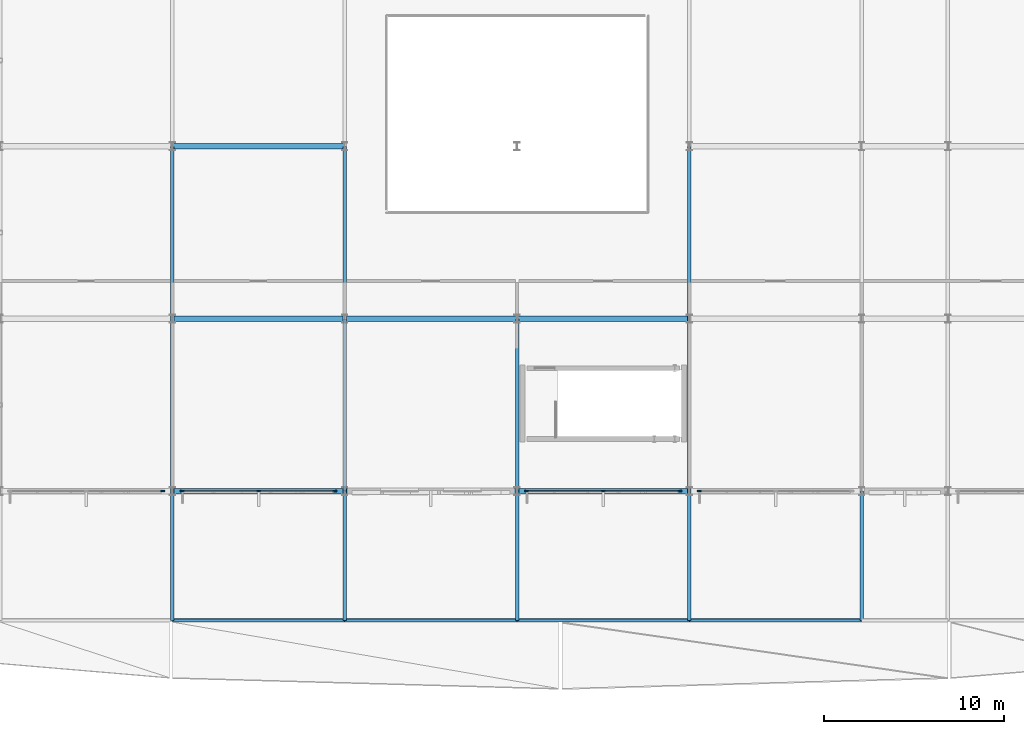
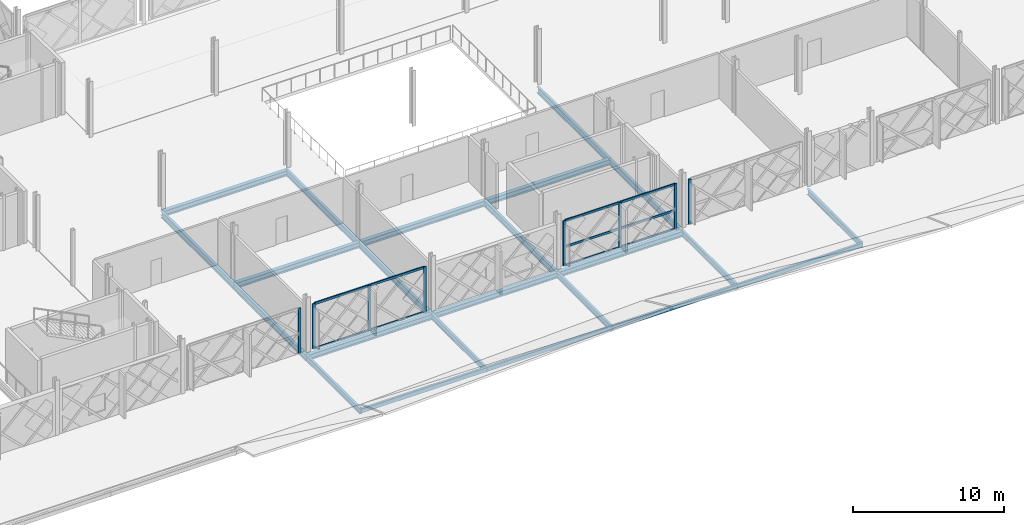
# One storey, part 38 of 101: 23 beams, 18 members, 4 elements without a shape of their own.
"""IFC4 building model written with IfcOpenShell, lengths in metres."""

from ifc_helpers import new_model, si_unit, direction, frame, origin, origin_2d, place, context, subcontext, project, spatial, rectangle, hollow_rectangle, i_section, extrude, material, layer, layer_set, material_profile, profile_set, type_object, element, aggregate, save


model = new_model("IFC4")

# Units and contexts
model_context = context("Model", 3, precision=1e-05, world=origin(), true_north=direction((0.0, 1.0)))
body_context = subcontext(model_context, "Body", "Model", "MODEL_VIEW")
ifc_project = project(units=[si_unit("LENGTHUNIT", "METRE"), si_unit("AREAUNIT", "SQUARE_METRE"), si_unit("VOLUMEUNIT", "CUBIC_METRE"), si_unit("PLANEANGLEUNIT", "RADIAN"), si_unit("MASSUNIT", "GRAM", prefix="KILO")], contexts=[model_context])

# Site, building, storey
site_placement = place(None, origin())
site = spatial("IfcSite", under=ifc_project, at=site_placement, CompositionType="ELEMENT")
building_placement = place(site_placement, origin())
building = spatial("IfcBuilding", under=site, at=building_placement, Name="Zevrakil Square Congress Hotel", CompositionType="ELEMENT")
storey_placement = place(building_placement, frame((0.0, 0.0, 5.39990234375)))
storey = spatial("IfcBuildingStorey", under=building, at=storey_placement, Name="L02", CompositionType="ELEMENT", Elevation=5.39990234375)

# Beams
ifc_material_1 = material(Name="Steel S355", Category="steel")
ifc_material_profile_1 = material_profile(ifc_material_1, i_section(OverallWidth=0.300048828125, OverallDepth=0.43994140625, WebThickness=0.011474609375, FlangeThickness=0.02099609375, FilletRadius=0.027099609375, at=origin_2d()), Name="HEA 450")
ifc_profile_set_1 = profile_set([ifc_material_profile_1], Name="Steel S355")
beam_type_1 = type_object("IfcBeamType", Name="BM-HEA450", PredefinedType="BEAM", material=ifc_profile_set_1)
beam_1_placement = place(storey_placement, frame((64.800048828125, 7.199951171875, -0.47998046875), z_axis=(1.0, 0.0, 0.0), x_axis=(0.0, 1.0, 0.0)))
element("IfcBeam", 1, at=beam_1_placement, inside=storey, type_object=beam_type_1, Name="L02 primary girder BX-0683", PredefinedType="BEAM", context=body_context, shape_type="SweptSolid", body=[
    extrude(i_section(OverallWidth=0.300048828125, OverallDepth=0.43994140625, WebThickness=0.011474609375, FlangeThickness=0.02099609375, FilletRadius=0.027099609375, at=origin_2d()), origin(), (0.0, 0.0, 1.0), 9.599853515625),
])
for number, where, z_axis, x_axis, name in (
    (2, (74.39990234375, 7.199951171875, -0.47998046875), (1.0, 0.0, 0.0), (0.0, 1.0, 0.0), "L02 primary girder BX-0684"),
    (3, (84.0, 7.199951171875, -0.47998046875), (1.0, 0.0, 0.0), (0.0, 1.0, 0.0), "L02 primary girder BX-0685"),
):
    element("IfcBeam", number, at=place(storey_placement, frame(where, z_axis=z_axis, x_axis=x_axis)), inside=storey, type_object=beam_type_1, Name=name, PredefinedType="BEAM", context=body_context, shape_type="SweptSolid", body=[
        extrude(i_section(OverallWidth=0.300048828125, OverallDepth=0.43994140625, WebThickness=0.011474609375, FlangeThickness=0.02099609375, FilletRadius=0.027099609375, at=origin_2d()), origin(), (0.0, 0.0, 1.0), 9.60009765625),
    ])
beam_2_placement = place(storey_placement, frame((64.800048828125, 16.800048828125, -0.47998046875), z_axis=(1.0, 0.0, 0.0), x_axis=(0.0, 1.0, 0.0)))
element("IfcBeam", 4, at=beam_2_placement, inside=storey, type_object=beam_type_1, Name="L02 primary girder BX-0695", PredefinedType="BEAM", context=body_context, shape_type="SweptSolid", body=[
    extrude(i_section(OverallWidth=0.300048828125, OverallDepth=0.43994140625, WebThickness=0.011474609375, FlangeThickness=0.02099609375, FilletRadius=0.027099609375, at=origin_2d()), origin(), (0.0, 0.0, 1.0), 9.599853515625),
])
for number, where, z_axis, x_axis, name in (
    (5, (74.39990234375, 16.800048828125, -0.47998046875), (1.0, 0.0, 0.0), (0.0, 1.0, 0.0), "L02 primary girder BX-0696"),
    (6, (84.0, 16.800048828125, -0.47998046875), (1.0, 0.0, 0.0), (0.0, 1.0, 0.0), "L02 primary girder BX-0697"),
):
    element("IfcBeam", number, at=place(storey_placement, frame(where, z_axis=z_axis, x_axis=x_axis)), inside=storey, type_object=beam_type_1, Name=name, PredefinedType="BEAM", context=body_context, shape_type="SweptSolid", body=[
        extrude(i_section(OverallWidth=0.300048828125, OverallDepth=0.43994140625, WebThickness=0.011474609375, FlangeThickness=0.02099609375, FilletRadius=0.027099609375, at=origin_2d()), origin(), (0.0, 0.0, 1.0), 9.60009765625),
    ])
beam_3_placement = place(storey_placement, frame((64.800048828125, 26.39990234375, -0.47998046875), z_axis=(1.0, 0.0, 0.0), x_axis=(0.0, 1.0, 0.0)))
element("IfcBeam", 7, at=beam_3_placement, inside=storey, type_object=beam_type_1, Name="L02 primary girder BX-0710", PredefinedType="BEAM", context=body_context, shape_type="SweptSolid", body=[
    extrude(i_section(OverallWidth=0.300048828125, OverallDepth=0.43994140625, WebThickness=0.011474609375, FlangeThickness=0.02099609375, FilletRadius=0.027099609375, at=origin_2d()), origin(), (0.0, 0.0, 1.0), 9.599853515625),
])
ifc_material_2 = material(Name="Steel S355", Category="steel")
ifc_material_profile_2 = material_profile(ifc_material_2, i_section(OverallWidth=0.18994140625, OverallDepth=0.449951171875, WebThickness=0.009521484375, FlangeThickness=0.0146484375, FilletRadius=0.02099609375, at=origin_2d()), Name="IPE 450")
ifc_profile_set_2 = profile_set([ifc_material_profile_2], Name="Steel S355")
beam_type_2 = type_object("IfcBeamType", Name="BM-IPE450", PredefinedType="BEAM", material=ifc_profile_set_2)
for number, where, z_axis, x_axis, name in (
    (8, (64.800048828125, 0.0, -0.48486328125), (0.0, 1.0, 0.0), (-1.0, 0.0, 0.0), "L02 primary girder BY-0866"),
    (9, (74.39990234375, 0.0, -0.48486328125), (0.0, 1.0, 0.0), (-1.0, 0.0, 0.0), "L02 primary girder BY-0878"),
    (10, (84.0, 0.0, -0.48486328125), (0.0, 1.0, 0.0), (-1.0, 0.0, 0.0), "L02 primary girder BY-0886"),
    (11, (93.60009765625, 0.0, -0.48486328125), (0.0, 1.0, 0.0), (-1.0, 0.0, 0.0), "L02 primary girder BY-0892"),
    (12, (103.199951171875, 0.0, -0.48486328125), (0.0, 1.0, 0.0), (-1.0, 0.0, 0.0), "L02 primary girder BY-0900"),
):
    element("IfcBeam", number, at=place(storey_placement, frame(where, z_axis=z_axis, x_axis=x_axis)), inside=storey, type_object=beam_type_2, Name=name, PredefinedType="BEAM", context=body_context, shape_type="SweptSolid", body=[
        extrude(i_section(OverallWidth=0.18994140625, OverallDepth=0.449951171875, WebThickness=0.009521484375, FlangeThickness=0.0146484375, FilletRadius=0.02099609375, at=origin_2d()), origin(), (0.0, 0.0, 1.0), 7.199951171875),
    ])
ifc_material_3 = material(Name="Steel S355", Category="steel")
ifc_material_profile_3 = material_profile(ifc_material_3, i_section(OverallWidth=0.199951171875, OverallDepth=0.5, WebThickness=0.01025390625, FlangeThickness=0.01611328125, FilletRadius=0.02099609375, at=origin_2d()), Name="IPE 500")
ifc_profile_set_3 = profile_set([ifc_material_profile_3], Name="Steel S355")
beam_type_3 = type_object("IfcBeamType", Name="BM-IPE500", PredefinedType="BEAM", material=ifc_profile_set_3)
beam_4_placement = place(storey_placement, frame((64.800048828125, 7.199951171875, -0.510009765625), z_axis=(0.0, 1.0, 0.0), x_axis=(-1.0, 0.0, 0.0)))
element("IfcBeam", 13, at=beam_4_placement, inside=storey, type_object=beam_type_3, Name="L02 primary girder BY-0867", PredefinedType="BEAM", context=body_context, shape_type="SweptSolid", body=[
    extrude(i_section(OverallWidth=0.199951171875, OverallDepth=0.5, WebThickness=0.01025390625, FlangeThickness=0.01611328125, FilletRadius=0.02099609375, at=origin_2d()), origin(), (0.0, 0.0, 1.0), 9.60009765625),
])
beam_5_placement = place(storey_placement, frame((64.800048828125, 16.800048828125, -0.510009765625), z_axis=(0.0, 1.0, 0.0), x_axis=(-1.0, 0.0, 0.0)))
element("IfcBeam", 14, at=beam_5_placement, inside=storey, type_object=beam_type_3, Name="L02 primary girder BY-0868", PredefinedType="BEAM", context=body_context, shape_type="SweptSolid", body=[
    extrude(i_section(OverallWidth=0.199951171875, OverallDepth=0.5, WebThickness=0.01025390625, FlangeThickness=0.01611328125, FilletRadius=0.02099609375, at=origin_2d()), origin(), (0.0, 0.0, 1.0), 9.599853515625),
])
beam_6_placement = place(storey_placement, frame((74.39990234375, 7.199951171875, -0.510009765625), z_axis=(0.0, 1.0, 0.0), x_axis=(-1.0, 0.0, 0.0)))
element("IfcBeam", 15, at=beam_6_placement, inside=storey, type_object=beam_type_3, Name="L02 primary girder BY-0879", PredefinedType="BEAM", context=body_context, shape_type="SweptSolid", body=[
    extrude(i_section(OverallWidth=0.199951171875, OverallDepth=0.5, WebThickness=0.01025390625, FlangeThickness=0.01611328125, FilletRadius=0.02099609375, at=origin_2d()), origin(), (0.0, 0.0, 1.0), 9.60009765625),
])
beam_7_placement = place(storey_placement, frame((74.39990234375, 16.800048828125, -0.510009765625), z_axis=(0.0, 1.0, 0.0), x_axis=(-1.0, 0.0, 0.0)))
element("IfcBeam", 16, at=beam_7_placement, inside=storey, type_object=beam_type_3, Name="L02 primary girder BY-0880", PredefinedType="BEAM", context=body_context, shape_type="SweptSolid", body=[
    extrude(i_section(OverallWidth=0.199951171875, OverallDepth=0.5, WebThickness=0.01025390625, FlangeThickness=0.01611328125, FilletRadius=0.02099609375, at=origin_2d()), origin(), (0.0, 0.0, 1.0), 9.599853515625),
])
for number, where, z_axis, x_axis, name in (
    (17, (84.0, 7.199951171875, -0.510009765625), (0.0, 1.0, 0.0), (-1.0, 0.0, 0.0), "L02 primary girder BY-0887"),
    (18, (93.60009765625, 7.199951171875, -0.510009765625), (0.0, 1.0, 0.0), (-1.0, 0.0, 0.0), "L02 primary girder BY-0893"),
):
    element("IfcBeam", number, at=place(storey_placement, frame(where, z_axis=z_axis, x_axis=x_axis)), inside=storey, type_object=beam_type_3, Name=name, PredefinedType="BEAM", context=body_context, shape_type="SweptSolid", body=[
        extrude(i_section(OverallWidth=0.199951171875, OverallDepth=0.5, WebThickness=0.01025390625, FlangeThickness=0.01611328125, FilletRadius=0.02099609375, at=origin_2d()), origin(), (0.0, 0.0, 1.0), 9.60009765625),
    ])
beam_8_placement = place(storey_placement, frame((93.60009765625, 16.800048828125, -0.510009765625), z_axis=(0.0, 1.0, 0.0), x_axis=(-1.0, 0.0, 0.0)))
element("IfcBeam", 19, at=beam_8_placement, inside=storey, type_object=beam_type_3, Name="L02 primary girder BY-0894", PredefinedType="BEAM", context=body_context, shape_type="SweptSolid", body=[
    extrude(i_section(OverallWidth=0.199951171875, OverallDepth=0.5, WebThickness=0.01025390625, FlangeThickness=0.01611328125, FilletRadius=0.02099609375, at=origin_2d()), origin(), (0.0, 0.0, 1.0), 9.599853515625),
])

# Curtain wall, members
ifc_material_4 = material(Name="Aluminium Anodised Bronze", Category="aluminium")
ifc_layer = layer(ifc_material_4, 0.179931640625)
ifc_layer_set = layer_set([ifc_layer], Name="Aluminium Anodised Bronze")
curtain_wall_type = type_object("IfcCurtainWallType", Name="CW-L02-840", PredefinedType="USERDEFINED", material=ifc_layer_set)
curtain_wall_1_placement = place(storey_placement, origin())
curtain_wall_1 = element("IfcCurtainWall", 20, at=curtain_wall_1_placement, inside=storey, type_object=curtain_wall_type, Name="L02 diamond curtain wall CW-L02-0005", ObjectType="GLAZED CURTAIN WALL", PredefinedType="USERDEFINED")
ifc_material_5 = material(Name="Aluminium Anodised Bronze", Category="aluminium")
ifc_material_profile_4 = material_profile(ifc_material_5, rectangle(XDim=0.0849609375, YDim=0.179931640625, at=origin_2d()), Name="ALU 85x180")
ifc_profile_set_4 = profile_set([ifc_material_profile_4], Name="Aluminium Anodised Bronze")
member_type_1 = type_object("IfcMemberType", Name="CWM-ALU85x180", PredefinedType="USERDEFINED", material=ifc_profile_set_4)
member_1_placement = place(storey_placement, frame((65.3798828125, 7.199951171875, 0.030029296875), z_axis=(1.0, 0.0, 0.0), x_axis=(0.0, 1.0, 0.0)))
member_1 = element("IfcMember", 21, at=member_1_placement, type_object=member_type_1, Name="CW-23 transom 1.1", ObjectType="TRANSOM", PredefinedType="USERDEFINED", context=body_context, shape_type="SweptSolid", body=[
    extrude(rectangle(XDim=0.0849609375, YDim=0.179931640625, at=origin_2d()), origin(), (0.0, 0.0, 1.0), 4.190185546875),
])
member_2_placement = place(storey_placement, frame((65.3798828125, 7.199951171875, 3.655029296875), z_axis=(1.0, 0.0, 0.0), x_axis=(0.0, 1.0, 0.0)))
member_2 = element("IfcMember", 22, at=member_2_placement, type_object=member_type_1, Name="CW-23 transom 1.2", ObjectType="TRANSOM", PredefinedType="USERDEFINED", context=body_context, shape_type="SweptSolid", body=[
    extrude(rectangle(XDim=0.0849609375, YDim=0.179931640625, at=origin_2d()), origin(), (0.0, 0.0, 1.0), 4.190185546875),
])
member_3_placement = place(storey_placement, frame((69.6298828125, 7.199951171875, 0.030029296875), z_axis=(1.0, 0.0, 0.0), x_axis=(0.0, 1.0, 0.0)))
member_3 = element("IfcMember", 23, at=member_3_placement, type_object=member_type_1, Name="CW-23 transom 2.1", ObjectType="TRANSOM", PredefinedType="USERDEFINED", context=body_context, shape_type="SweptSolid", body=[
    extrude(rectangle(XDim=0.0849609375, YDim=0.179931640625, at=origin_2d()), origin(), (0.0, 0.0, 1.0), 4.190185546875),
])
member_4_placement = place(storey_placement, frame((69.6298828125, 7.199951171875, 3.655029296875), z_axis=(1.0, 0.0, 0.0), x_axis=(0.0, 1.0, 0.0)))
member_4 = element("IfcMember", 24, at=member_4_placement, type_object=member_type_1, Name="CW-23 transom 2.2", ObjectType="TRANSOM", PredefinedType="USERDEFINED", context=body_context, shape_type="SweptSolid", body=[
    extrude(rectangle(XDim=0.0849609375, YDim=0.179931640625, at=origin_2d()), origin(), (0.0, 0.0, 1.0), 4.190185546875),
])

curtain_wall_2_placement = place(storey_placement, origin())
curtain_wall_2 = element("IfcCurtainWall", 25, at=curtain_wall_2_placement, inside=storey, type_object=curtain_wall_type, Name="L02 diamond curtain wall CW-L02-0008", ObjectType="GLAZED CURTAIN WALL", PredefinedType="USERDEFINED")
member_5_placement = place(storey_placement, frame((84.580078125, 7.199951171875, 0.030029296875), z_axis=(1.0, 0.0, 0.0), x_axis=(0.0, 1.0, 0.0)))
member_5 = element("IfcMember", 26, at=member_5_placement, type_object=member_type_1, Name="CW-23 transom 1.1", ObjectType="TRANSOM", PredefinedType="USERDEFINED", context=body_context, shape_type="SweptSolid", body=[
    extrude(rectangle(XDim=0.0849609375, YDim=0.179931640625, at=origin_2d()), origin(), (0.0, 0.0, 1.0), 4.18994140625),
])
member_6_placement = place(storey_placement, frame((84.580078125, 7.199951171875, 1.5478515625), z_axis=(1.0, 0.0, 0.0), x_axis=(0.0, 1.0, 0.0)))
member_6 = element("IfcMember", 27, at=member_6_placement, type_object=member_type_1, Name="CW-23 transom 1.2", ObjectType="TRANSOM", PredefinedType="USERDEFINED", context=body_context, shape_type="SweptSolid", body=[
    extrude(rectangle(XDim=0.0849609375, YDim=0.179931640625, at=origin_2d()), origin(), (0.0, 0.0, 1.0), 4.18994140625),
])
member_7_placement = place(storey_placement, frame((84.580078125, 7.199951171875, 3.655029296875), z_axis=(1.0, 0.0, 0.0), x_axis=(0.0, 1.0, 0.0)))
member_7 = element("IfcMember", 28, at=member_7_placement, type_object=member_type_1, Name="CW-23 transom 1.3", ObjectType="TRANSOM", PredefinedType="USERDEFINED", context=body_context, shape_type="SweptSolid", body=[
    extrude(rectangle(XDim=0.0849609375, YDim=0.179931640625, at=origin_2d()), origin(), (0.0, 0.0, 1.0), 4.18994140625),
])
member_8_placement = place(storey_placement, frame((88.830078125, 7.199951171875, 0.030029296875), z_axis=(1.0, 0.0, 0.0), x_axis=(0.0, 1.0, 0.0)))
member_8 = element("IfcMember", 29, at=member_8_placement, type_object=member_type_1, Name="CW-23 transom 2.1", ObjectType="TRANSOM", PredefinedType="USERDEFINED", context=body_context, shape_type="SweptSolid", body=[
    extrude(rectangle(XDim=0.0849609375, YDim=0.179931640625, at=origin_2d()), origin(), (0.0, 0.0, 1.0), 4.18994140625),
])
member_9_placement = place(storey_placement, frame((88.830078125, 7.199951171875, 1.5478515625), z_axis=(1.0, 0.0, 0.0), x_axis=(0.0, 1.0, 0.0)))
member_9 = element("IfcMember", 30, at=member_9_placement, type_object=member_type_1, Name="CW-23 transom 2.2", ObjectType="TRANSOM", PredefinedType="USERDEFINED", context=body_context, shape_type="SweptSolid", body=[
    extrude(rectangle(XDim=0.0849609375, YDim=0.179931640625, at=origin_2d()), origin(), (0.0, 0.0, 1.0), 4.18994140625),
])
member_10_placement = place(storey_placement, frame((88.830078125, 7.199951171875, 3.655029296875), z_axis=(1.0, 0.0, 0.0), x_axis=(0.0, 1.0, 0.0)))
member_10 = element("IfcMember", 31, at=member_10_placement, type_object=member_type_1, Name="CW-23 transom 2.3", ObjectType="TRANSOM", PredefinedType="USERDEFINED", context=body_context, shape_type="SweptSolid", body=[
    extrude(rectangle(XDim=0.0849609375, YDim=0.179931640625, at=origin_2d()), origin(), (0.0, 0.0, 1.0), 4.18994140625),
])

# Curtain wall, member
curtain_wall_3_placement = place(storey_placement, origin())
curtain_wall_3 = element("IfcCurtainWall", 32, at=curtain_wall_3_placement, inside=storey, type_object=curtain_wall_type, Name="L02 diamond curtain wall CW-L02-0004", ObjectType="GLAZED CURTAIN WALL", PredefinedType="USERDEFINED")
ifc_material_6 = material(Name="Aluminium Anodised Bronze", Category="aluminium")
ifc_material_profile_5 = material_profile(ifc_material_6, rectangle(XDim=0.0849609375, YDim=0.219970703125, at=origin_2d()), Name="ALU 85x220")
ifc_profile_set_5 = profile_set([ifc_material_profile_5], Name="Aluminium Anodised Bronze")
member_type_2 = type_object("IfcMemberType", Name="CWM-ALU85x220", PredefinedType="MULLION", material=ifc_profile_set_5)
member_11_placement = place(storey_placement, frame((64.25, 7.199951171875, 0.0), z_axis=(0.0, 0.0, 1.0), x_axis=(0.0, 1.0, 0.0)))
member_11 = element("IfcMember", 33, at=member_11_placement, type_object=member_type_2, Name="CW-23 mullion 3", PredefinedType="MULLION", context=body_context, shape_type="SweptSolid", body=[
    extrude(rectangle(XDim=0.0849609375, YDim=0.219970703125, at=origin_2d()), origin(), (0.0, 0.0, 1.0), 3.68505859375),
])
aggregate(curtain_wall_3, [member_11])

# Member
member_12_placement = place(storey_placement, frame((65.35009765625, 7.199951171875, 0.0), z_axis=(0.0, 0.0, 1.0), x_axis=(0.0, 1.0, 0.0)))
member_12 = element("IfcMember", 34, at=member_12_placement, type_object=member_type_2, Name="CW-23 mullion 1", PredefinedType="MULLION", context=body_context, shape_type="SweptSolid", body=[
    extrude(rectangle(XDim=0.0849609375, YDim=0.219970703125, at=origin_2d()), origin(), (0.0, 0.0, 1.0), 3.68505859375),
])

member_13_placement = place(storey_placement, frame((69.60009765625, 7.199951171875, 0.0), z_axis=(0.0, 0.0, 1.0), x_axis=(0.0, 1.0, 0.0)))
member_13 = element("IfcMember", 35, at=member_13_placement, type_object=member_type_2, Name="CW-23 mullion 2", PredefinedType="MULLION", context=body_context, shape_type="SweptSolid", body=[
    extrude(rectangle(XDim=0.0849609375, YDim=0.219970703125, at=origin_2d()), origin(), (0.0, 0.0, 1.0), 3.68505859375),
])

member_14_placement = place(storey_placement, frame((73.85009765625, 7.199951171875, 0.0), z_axis=(0.0, 0.0, 1.0), x_axis=(0.0, 1.0, 0.0)))
member_14 = element("IfcMember", 36, at=member_14_placement, type_object=member_type_2, Name="CW-23 mullion 3", PredefinedType="MULLION", context=body_context, shape_type="SweptSolid", body=[
    extrude(rectangle(XDim=0.0849609375, YDim=0.219970703125, at=origin_2d()), origin(), (0.0, 0.0, 1.0), 3.68505859375),
])

aggregate(curtain_wall_1, [member_12, member_13, member_14, member_1, member_2, member_3, member_4])

member_15_placement = place(storey_placement, frame((84.550048828125, 7.199951171875, 0.0), z_axis=(0.0, 0.0, 1.0), x_axis=(0.0, 1.0, 0.0)))
member_15 = element("IfcMember", 37, at=member_15_placement, type_object=member_type_2, Name="CW-23 mullion 1", PredefinedType="MULLION", context=body_context, shape_type="SweptSolid", body=[
    extrude(rectangle(XDim=0.0849609375, YDim=0.219970703125, at=origin_2d()), origin(), (0.0, 0.0, 1.0), 3.68505859375),
])

member_16_placement = place(storey_placement, frame((88.800048828125, 7.199951171875, 0.0), z_axis=(0.0, 0.0, 1.0), x_axis=(0.0, 1.0, 0.0)))
member_16 = element("IfcMember", 38, at=member_16_placement, type_object=member_type_2, Name="CW-23 mullion 2", PredefinedType="MULLION", context=body_context, shape_type="SweptSolid", body=[
    extrude(rectangle(XDim=0.0849609375, YDim=0.219970703125, at=origin_2d()), origin(), (0.0, 0.0, 1.0), 3.68505859375),
])

member_17_placement = place(storey_placement, frame((93.050048828125, 7.199951171875, 0.0), z_axis=(0.0, 0.0, 1.0), x_axis=(0.0, 1.0, 0.0)))
member_17 = element("IfcMember", 39, at=member_17_placement, type_object=member_type_2, Name="CW-23 mullion 3", PredefinedType="MULLION", context=body_context, shape_type="SweptSolid", body=[
    extrude(rectangle(XDim=0.0849609375, YDim=0.219970703125, at=origin_2d()), origin(), (0.0, 0.0, 1.0), 3.68505859375),
])

aggregate(curtain_wall_2, [member_15, member_16, member_17, member_5, member_6, member_7, member_8, member_9, member_10])

# Curtain wall, member
curtain_wall_4_placement = place(storey_placement, origin())
curtain_wall_4 = element("IfcCurtainWall", 40, at=curtain_wall_4_placement, inside=storey, type_object=curtain_wall_type, Name="L02 diamond curtain wall CW-L02-0010", ObjectType="GLAZED CURTAIN WALL", PredefinedType="USERDEFINED")
member_18_placement = place(storey_placement, frame((94.14990234375, 7.199951171875, 0.0), z_axis=(0.0, 0.0, 1.0), x_axis=(0.0, 1.0, 0.0)))
member_18 = element("IfcMember", 41, at=member_18_placement, type_object=member_type_2, Name="CW-23 mullion 1", PredefinedType="MULLION", context=body_context, shape_type="SweptSolid", body=[
    extrude(rectangle(XDim=0.0849609375, YDim=0.219970703125, at=origin_2d()), origin(), (0.0, 0.0, 1.0), 3.68505859375),
])
aggregate(curtain_wall_4, [member_18])

# Beams
ifc_material_7 = material(Name="Steel S355", Category="steel")
ifc_material_profile_6 = material_profile(ifc_material_7, hollow_rectangle(XDim=0.199951171875, YDim=0.35009765625, WallThickness=0.01611328125, InnerFilletRadius=0.01611328125, OuterFilletRadius=0.031982421875, at=origin_2d()), Name="RHS 350x200x16")
ifc_profile_set_6 = profile_set([ifc_material_profile_6], Name="Steel S355")
beam_type_4 = type_object("IfcBeamType", Name="SPD-RHS350", PredefinedType="SPANDREL", material=ifc_profile_set_6)
beam_9_placement = place(storey_placement, frame((64.800048828125, 0.0, -0.434814453125), z_axis=(1.0, 0.0, 0.0), x_axis=(0.0, 1.0, 0.0)))
element("IfcBeam", 42, at=beam_9_placement, inside=storey, type_object=beam_type_4, Name="L02 primary girder BX-0664", PredefinedType="SPANDREL", context=body_context, shape_type="SweptSolid", body=[
    extrude(hollow_rectangle(XDim=0.199951171875, YDim=0.35009765625, WallThickness=0.01611328125, InnerFilletRadius=0.01611328125, OuterFilletRadius=0.031982421875, at=origin_2d()), origin(), (0.0, 0.0, 1.0), 9.599853515625),
])
for number, where, z_axis, x_axis, name in (
    (43, (74.39990234375, 0.0, -0.434814453125), (1.0, 0.0, 0.0), (0.0, 1.0, 0.0), "L02 primary girder BX-0665"),
    (44, (84.0, 0.0, -0.434814453125), (1.0, 0.0, 0.0), (0.0, 1.0, 0.0), "L02 primary girder BX-0666"),
):
    element("IfcBeam", number, at=place(storey_placement, frame(where, z_axis=z_axis, x_axis=x_axis)), inside=storey, type_object=beam_type_4, Name=name, PredefinedType="SPANDREL", context=body_context, shape_type="SweptSolid", body=[
        extrude(hollow_rectangle(XDim=0.199951171875, YDim=0.35009765625, WallThickness=0.01611328125, InnerFilletRadius=0.01611328125, OuterFilletRadius=0.031982421875, at=origin_2d()), origin(), (0.0, 0.0, 1.0), 9.60009765625),
    ])
beam_10_placement = place(storey_placement, frame((93.60009765625, 0.0, -0.434814453125), z_axis=(1.0, 0.0, 0.0), x_axis=(0.0, 1.0, 0.0)))
element("IfcBeam", 45, at=beam_10_placement, inside=storey, type_object=beam_type_4, Name="L02 primary girder BX-0667", PredefinedType="SPANDREL", context=body_context, shape_type="SweptSolid", body=[
    extrude(hollow_rectangle(XDim=0.199951171875, YDim=0.35009765625, WallThickness=0.01611328125, InnerFilletRadius=0.01611328125, OuterFilletRadius=0.031982421875, at=origin_2d()), origin(), (0.0, 0.0, 1.0), 9.599853515625),
])

save(model, "model.ifc")
